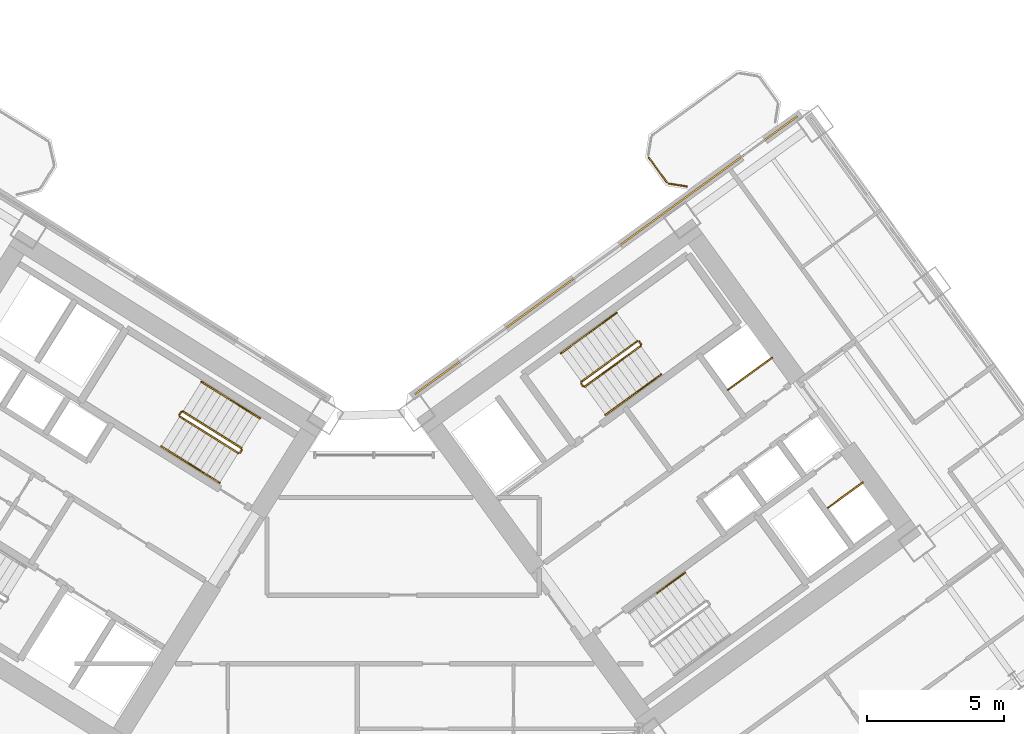
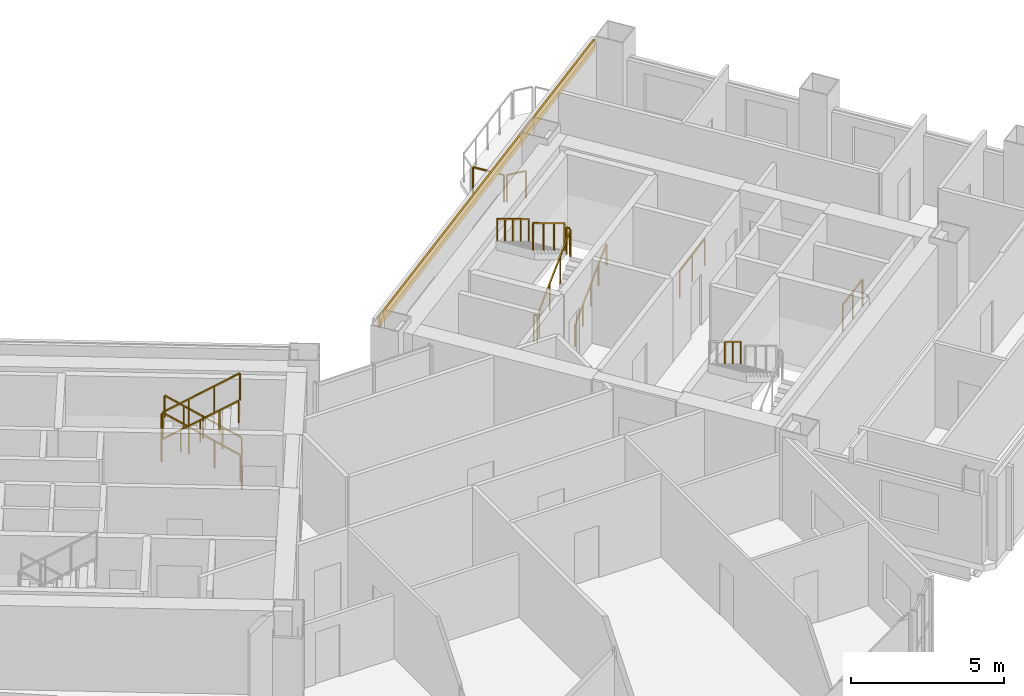
# One storey, part 27 of 28: 21 railings, 1 covering.
"""IFC4 building model written with IfcOpenShell, lengths in metres."""

import ifcopenshell
import ifcopenshell.guid

model = None  # the IFC model being written
_history = None  # IfcOwnerHistory: only IFC2X3 demands one
_inside = {}  # id of a spatial element -> (the spatial element, [elements in it])
_under = {}  # id of a project, library or spatial element -> (it, [spatial elements below it])
_declared = {}  # id of a project -> (the project, [libraries it declares])
_typed = {}  # id of a type object -> (the type object, [elements of that type])
_made_of = {}  # id of a material, layer set ... -> (it, [elements and type objects made of it])


def new_model(schema):
    """Start an empty IFC model of exactly this schema.

    Asked for "IFC4X3", IfcOpenShell would pick the latest addendum, in which some entities
    have other attributes; the version numbers below select the first issue.
    IFC2X3 requires an IfcOwnerHistory on every rooted entity: one is made here for all.
    """
    global model, _history
    if schema == "IFC4X3":
        model = ifcopenshell.file(schema_version=(4, 3, 0, 0))
    else:
        model = ifcopenshell.file(schema=schema)
    _inside.clear()
    _under.clear()
    _declared.clear()
    _typed.clear()
    _made_of.clear()
    _history = None
    if model.schema == "IFC2X3":
        org = make("IfcOrganization", Name="unknown")
        user = make(
            "IfcPersonAndOrganization",
            ThePerson=make("IfcPerson", FamilyName="unknown"),
            TheOrganization=org,
        )
        app = make(
            "IfcApplication",
            ApplicationDeveloper=org,
            Version="unknown",
            ApplicationFullName="unknown",
            ApplicationIdentifier="unknown",
        )
        _history = make(
            "IfcOwnerHistory",
            OwningUser=user,
            OwningApplication=app,
            ChangeAction="ADDED",
            CreationDate=0,
        )
    return model


def make(cls, **values):
    """One entity of the class cls with the attributes given. An attribute that is None is left unset."""
    return model.create_entity(
        cls, **{name: value for name, value in values.items() if value is not None}
    )


def rooted(cls, **values):
    """An entity with a GlobalId (a new one), such as an element, a storey or a relation."""
    return make(cls, GlobalId=ifcopenshell.guid.new(), OwnerHistory=_history, **values)


def si_unit(unit_type, name, prefix=None):
    """IfcSIUnit, for example si_unit("LENGTHUNIT", "METRE", prefix="MILLI")."""
    return make("IfcSIUnit", UnitType=unit_type, Prefix=prefix, Name=name)


def assignment(units):
    """IfcUnitAssignment: the units of a project."""
    return None if units is None else make("IfcUnitAssignment", Units=units)


def point(xyz):
    """IfcCartesianPoint."""
    return None if xyz is None else make("IfcCartesianPoint", Coordinates=xyz)


def direction(xyz):
    """IfcDirection."""
    return None if xyz is None else make("IfcDirection", DirectionRatios=xyz)


def frame(location, z_axis=None, x_axis=None):
    """IfcAxis2Placement3D, a coordinate frame: its origin and axes. An axis left out is left unset."""
    return make(
        "IfcAxis2Placement3D",
        Location=point(location),
        Axis=direction(z_axis),
        RefDirection=direction(x_axis),
    )


def frame_2d(location, x_axis=None):
    """IfcAxis2Placement2D, a coordinate frame in the plane: its origin and x axis."""
    return make(
        "IfcAxis2Placement2D", Location=point(location), RefDirection=direction(x_axis)
    )


def origin():
    """The frame at (0, 0, 0) with its axes left unset."""
    return frame((0.0, 0.0, 0.0))


def origin_2d():
    """The frame at (0, 0) in the plane with its x axis left unset."""
    return frame_2d((0.0, 0.0))


def place(relative_to, where):
    """IfcLocalPlacement: puts the frame where relative to a parent placement (None: the world)."""
    return make(
        "IfcLocalPlacement", PlacementRelTo=relative_to, RelativePlacement=where
    )


def context(
    kind, dimensions, precision=None, world=None, true_north=None, identifier=None
):
    """IfcGeometricRepresentationContext, for example the 3D "Model" context."""
    return make(
        "IfcGeometricRepresentationContext",
        ContextIdentifier=identifier,
        ContextType=kind,
        CoordinateSpaceDimension=dimensions,
        Precision=precision,
        WorldCoordinateSystem=world,
        TrueNorth=true_north,
    )


def subcontext(parent, identifier, kind, view, scale=None):
    """IfcGeometricRepresentationSubContext, for example "Body" below "Model"."""
    return make(
        "IfcGeometricRepresentationSubContext",
        ContextIdentifier=identifier,
        ContextType=kind,
        ParentContext=parent,
        TargetScale=scale,
        TargetView=view,
    )


def project(units=None, contexts=None):
    """IfcProject with its units and contexts."""
    return rooted(
        "IfcProject",
        Name="project",
        RepresentationContexts=contexts,
        UnitsInContext=assignment(units),
    )


def spatial(cls, under=None, at=None, **own):
    """A site, building, storey or space (cls), placed at a placement, below another one or the project."""
    s = rooted(cls, ObjectPlacement=at, **own)
    if under is not None:
        _under.setdefault(under.id(), (under, []))[1].append(s)
    return s


def profile(cls, at=None, kind="AREA", **sizes):
    """A parametric profile (cls). Its sizes go by their IFC names, for example OverallWidth=200.0."""
    return make(cls, ProfileType=kind, Position=at, **sizes)


def rectangle(**sizes):
    """IfcRectangleProfileDef."""
    return profile("IfcRectangleProfileDef", **sizes)


def extrude(swept, where, along, depth):
    """IfcExtrudedAreaSolid: the profile swept, set in the frame where, extruded along a direction by depth."""
    return make(
        "IfcExtrudedAreaSolid",
        SweptArea=swept,
        Position=where,
        ExtrudedDirection=direction(along),
        Depth=depth,
    )


def shape(context_of_items, identifier, shape_type, items):
    """IfcShapeRepresentation: the items that make up one representation, for example the "Body"."""
    return make(
        "IfcShapeRepresentation",
        ContextOfItems=context_of_items,
        RepresentationIdentifier=identifier,
        RepresentationType=shape_type,
        Items=items,
    )


def source(mapping_origin, context_of_items, identifier, shape_type, items):
    """IfcRepresentationMap: a shape defined once, which mapped items show again and again."""
    return make(
        "IfcRepresentationMap",
        MappingOrigin=mapping_origin,
        MappedRepresentation=shape(context_of_items, identifier, shape_type, items),
    )


def transform(
    local_origin,
    x_axis=None,
    y_axis=None,
    z_axis=None,
    scale=None,
    scale2=None,
    scale3=None,
    uniform=True,
):
    """IfcCartesianTransformationOperator3D, or its non-uniform kind. x_axis, y_axis, z_axis: its Axis1, 2, 3."""
    if uniform:
        return make(
            "IfcCartesianTransformationOperator3D",
            Axis1=direction(x_axis),
            Axis2=direction(y_axis),
            LocalOrigin=point(local_origin),
            Scale=scale,
            Axis3=direction(z_axis),
        )
    return make(
        "IfcCartesianTransformationOperator3DnonUniform",
        Axis1=direction(x_axis),
        Axis2=direction(y_axis),
        LocalOrigin=point(local_origin),
        Scale=scale,
        Axis3=direction(z_axis),
        Scale2=scale2,
        Scale3=scale3,
    )


def mapped(mapping_source, mapping_target):
    """IfcMappedItem: shows the shape of a source again, moved by a transform."""
    return make(
        "IfcMappedItem", MappingSource=mapping_source, MappingTarget=mapping_target
    )


def material(Name=None, Category=None):
    """IfcMaterial."""
    return make("IfcMaterial", Name=Name, Category=Category)


def layer(
    of_material, thickness, ventilated=None, Name=None, Category=None, Priority=None
):
    """IfcMaterialLayer: one layer of a wall or slab, of a material (None: an air gap)."""
    return make(
        "IfcMaterialLayer",
        Material=of_material,
        LayerThickness=thickness,
        IsVentilated=ventilated,
        Name=Name,
        Category=Category,
        Priority=Priority,
    )


def layer_set(layers, Name=None):
    """IfcMaterialLayerSet."""
    return make("IfcMaterialLayerSet", MaterialLayers=layers, LayerSetName=Name)


def made_of(thing, what):
    """Note that an element or type object is made of a material, layer set ...; save() writes the relation."""
    if what is not None:
        _made_of.setdefault(what.id(), (what, []))[1].append(thing)
    return thing


def type_object(cls, material=None, **own):
    """A type object (cls), such as IfcWallType, which elements share."""
    return made_of(rooted(cls, **own), material)


def element(
    cls,
    number,
    at=None,
    inside=None,
    cuts=None,
    type_object=None,
    material=None,
    context=None,
    identifier="Body",
    shape_type=None,
    held_by="IfcProductDefinitionShape",
    body=None,
    shapes=None,
    **own,
):
    """One element of the class cls, such as IfcWall. Its Tag is "e" and its number.

    at: its placement. inside: the storey or other place that contains it. cuts: it is an
    opening in that element (IfcRelVoidsElement). A single representation is given by context,
    identifier, shape_type and body (its items); several are given by shapes. held_by: the class
    of the entity that holds the representations. save() writes the other relations.
    """
    e = rooted(cls, Tag="e%d" % number, ObjectPlacement=at, **own)
    if body is not None:
        shapes = [shape(context, identifier, shape_type, body)]
    if shapes is not None:
        e.Representation = make(held_by, Representations=shapes)
    if inside is not None:
        _inside.setdefault(inside.id(), (inside, []))[1].append(e)
    if cuts is not None:
        rooted(
            "IfcRelVoidsElement", RelatingBuildingElement=cuts, RelatedOpeningElement=e
        )
    if type_object is not None:
        _typed.setdefault(type_object.id(), (type_object, []))[1].append(e)
    return made_of(e, material)


def aggregate(whole, parts):
    """IfcRelAggregates: a whole, such as a stair, and the parts it consists of."""
    return rooted("IfcRelAggregates", RelatingObject=whole, RelatedObjects=parts)


def save(model, path):
    """Write the relations noted so far, then the file.

    IfcRelAggregates (storeys below a building ...), IfcRelContainedInSpatialStructure (elements
    in a storey), IfcRelDefinesByType, IfcRelAssociatesMaterial and IfcRelDeclares: one each for
    every whole, place, type object, material and project.
    """
    for whole, parts in _under.values():
        aggregate(whole, parts)
    for where, things in _inside.values():
        rooted(
            "IfcRelContainedInSpatialStructure",
            RelatedElements=things,
            RelatingStructure=where,
        )
    for kind, things in _typed.values():
        rooted("IfcRelDefinesByType", RelatedObjects=things, RelatingType=kind)
    for what, things in _made_of.values():
        rooted("IfcRelAssociatesMaterial", RelatedObjects=things, RelatingMaterial=what)
    for by, libraries in _declared.values():
        rooted("IfcRelDeclares", RelatingContext=by, RelatedDefinitions=libraries)
    model.write(path)


model = new_model("IFC4")

# Units and contexts
model_context = context("Model", 3, precision=1e-05, world=origin(), true_north=direction((0.0, 1.0)))
body_context = subcontext(model_context, "Body", "Model", "MODEL_VIEW")
ifc_project = project(units=[si_unit("LENGTHUNIT", "METRE"), si_unit("AREAUNIT", "SQUARE_METRE"), si_unit("VOLUMEUNIT", "CUBIC_METRE"), si_unit("PLANEANGLEUNIT", "RADIAN"), si_unit("MASSUNIT", "GRAM", prefix="KILO")], contexts=[model_context])

# Site, building, storey
site_placement = place(None, origin())
site = spatial("IfcSite", under=ifc_project, at=site_placement, CompositionType="ELEMENT")
building_placement = place(site_placement, origin())
building = spatial("IfcBuilding", under=site, at=building_placement, Name="Tlacorven Tower", CompositionType="ELEMENT")
storey_placement = place(building_placement, frame((0.0, 0.0, 49.199951171875)))
storey = spatial("IfcBuildingStorey", under=building, at=storey_placement, Name="L12", CompositionType="ELEMENT", Elevation=49.199951171875)

# Railings
ifc_material_1 = material(Name="Aluminium and painted steel balustrade", Category="steel")
railing_type_1 = type_object("IfcRailingType", Name="RL-GRD-1100", PredefinedType="GUARDRAIL", material=ifc_material_1)
shared_shape_1 = source(origin(), body_context, "Body", "SweptSolid", [
    extrude(rectangle(XDim=0.048095703125, YDim=0.048095703125, at=origin_2d()), frame((0.0, 0.0, 1.076171875), z_axis=(0.808947177504, 0.587881334972, 0.0), x_axis=(-0.587881334972, 0.808947177504, 0.0)), (0.0, 0.0, 1.0), 2.0),
    extrude(rectangle(XDim=0.0419921875, YDim=0.0419921875, at=origin_2d()), origin(), (0.0, 0.0, 1.0), 1.052001953125),
    extrude(rectangle(XDim=0.0419921875, YDim=0.0419921875, at=origin_2d()), frame((0.80908203125, 0.587890625, 0.0)), (0.0, 0.0, 1.0), 1.052001953125),
    extrude(rectangle(XDim=0.0419921875, YDim=0.0419921875, at=origin_2d()), frame((1.617919921875, 1.17578125, 0.0)), (0.0, 0.0, 1.0), 1.052001953125),
])
railing_1_placement = place(storey_placement, frame((55.506103515625, 25.438232421875, 0.0)))
element("IfcRailing", 1, at=railing_1_placement, inside=storey, type_object=railing_type_1, Name="L12 Electrical Riser E Shaft Guard 1", PredefinedType="GUARDRAIL", context=body_context, shape_type="MappedRepresentation", body=[
    mapped(shared_shape_1, transform((0.0, 0.0, 0.0), scale=1.0)),
])
shared_shape_2 = source(origin(), body_context, "Body", "SweptSolid", [
    extrude(rectangle(XDim=0.048095703125, YDim=0.048095703125, at=origin_2d()), frame((0.0, 0.0, 1.076171875), z_axis=(0.809029975545, 0.58776738483, 0.0), x_axis=(-0.58776738483, 0.809029975545, 0.0)), (0.0, 0.0, 1.0), 1.580078125),
    extrude(rectangle(XDim=0.0419921875, YDim=0.0419921875, at=origin_2d()), origin(), (0.0, 0.0, 1.0), 1.052001953125),
    extrude(rectangle(XDim=0.0419921875, YDim=0.0419921875, at=origin_2d()), frame((0.63916015625, 0.46435546875, 0.0)), (0.0, 0.0, 1.0), 1.052001953125),
    extrude(rectangle(XDim=0.0419921875, YDim=0.0419921875, at=origin_2d()), frame((1.2783203125, 0.9287109375, 0.0)), (0.0, 0.0, 1.0), 1.052001953125),
])
railing_2_placement = place(storey_placement, frame((59.160888671875, 21.122314453125, 0.0)))
element("IfcRailing", 2, at=railing_2_placement, inside=storey, type_object=railing_type_1, Name="L12 Smoke Riser E Shaft Guard 1", PredefinedType="GUARDRAIL", context=body_context, shape_type="MappedRepresentation", body=[
    mapped(shared_shape_2, transform((0.0, 0.0, 0.0), scale=1.0)),
])
railing_type_2 = type_object("IfcRailingType", Name="RL-BAL-1100", PredefinedType="BALUSTRADE", material=ifc_material_1)
shared_shape_3 = source(origin(), body_context, "Body", "SweptSolid", [
    extrude(rectangle(XDim=0.048095703125, YDim=0.048095703125, at=origin_2d()), frame((0.0, 0.0, 1.076171875), z_axis=(-0.987718317463, 0.156245081039, 0.0), x_axis=(-0.156245081039, -0.987718317463, 0.0)), (0.0, 0.0, 1.0), 0.66552734375),
    extrude(rectangle(XDim=0.0419921875, YDim=0.0419921875, at=origin_2d()), origin(), (0.0, 0.0, 1.0), 1.052001953125),
    extrude(rectangle(XDim=0.0419921875, YDim=0.0419921875, at=origin_2d()), frame((-0.657470703125, 0.10400390625, 0.0)), (0.0, 0.0, 1.0), 1.052001953125),
])
railing_3_placement = place(storey_placement, frame((54.00341796875, 32.8759765625, 0.0)))
element("IfcRailing", 3, at=railing_3_placement, inside=storey, type_object=railing_type_2, Name="BAL-L12-E-IN Guard Railing 1", PredefinedType="BALUSTRADE", context=body_context, shape_type="MappedRepresentation", body=[
    mapped(shared_shape_3, transform((0.0, 0.0, 0.0), scale=1.0)),
])
shared_shape_4 = source(origin(), body_context, "Body", "SweptSolid", [
    extrude(rectangle(XDim=0.048095703125, YDim=0.048095703125, at=origin_2d()), frame((0.0, 0.0, 1.076171875), z_axis=(-0.587740817519, 0.809049276263, 0.0), x_axis=(-0.809049276263, -0.587740817519, 0.0)), (0.0, 0.0, 1.0), 1.112060546875),
    extrude(rectangle(XDim=0.0419921875, YDim=0.0419921875, at=origin_2d()), origin(), (0.0, 0.0, 1.0), 1.052001953125),
    extrude(rectangle(XDim=0.0419921875, YDim=0.0419921875, at=origin_2d()), frame((-0.653564453125, 0.899658203125, 0.0)), (0.0, 0.0, 1.0), 1.052001953125),
])
railing_4_placement = place(storey_placement, frame((53.26708984375, 33.0283203125, 0.0)))
element("IfcRailing", 4, at=railing_4_placement, inside=storey, type_object=railing_type_2, Name="BAL-L12-E-IN Guard Railing 2", PredefinedType="BALUSTRADE", context=body_context, shape_type="MappedRepresentation", body=[
    mapped(shared_shape_4, transform((0.0, 0.0, 0.0), scale=1.0)),
])

# Covering
ifc_material_2 = material(Name="Precast concrete C45/55", Category="concrete")
ifc_layer = layer(ifc_material_2, 0.06005859375)
ifc_layer_set = layer_set([ifc_layer], Name="Precast concrete C45/55")
covering_type = type_object("IfcCoveringType", Name="CV-CLD-TERC", PredefinedType="CLADDING", material=ifc_layer_set)
shared_shape_5 = source(origin(), body_context, "Body", "SweptSolid", [
    extrude(rectangle(XDim=17.287353515625, YDim=0.06005859375, at=origin_2d()), origin(), (0.0, 0.0, 1.0), 0.419921875),
])
covering_placement = place(storey_placement, frame((51.05224609375, 30.360595703125, 2.93017578125), z_axis=(0.0, 0.0, 1.0), x_axis=(0.809017097486, 0.587785110372, 0.0)))
element("IfcCovering", 5, at=covering_placement, inside=storey, type_object=covering_type, Name="L12 Masonry-Frame Spandrel Cladding 4", PredefinedType="CLADDING", context=body_context, shape_type="MappedRepresentation", body=[
    mapped(shared_shape_5, transform((0.0, 0.0, 0.0), scale=1.0)),
])

# Railings
shared_shape_6 = source(origin(), body_context, "Body", "SweptSolid", [
    extrude(rectangle(XDim=0.048095703125, YDim=0.048095703125, at=origin_2d()), frame((0.0, 0.0, 1.076171875), z_axis=(-0.713319727316, 0.445773895627, 0.540796265334), x_axis=(-0.529955395941, -0.84802551749, 0.0)), (0.0, 0.0, 1.0), 2.995849609375),
    extrude(rectangle(XDim=0.0419921875, YDim=0.0419921875, at=origin_2d()), origin(), (0.0, 0.0, 1.0), 1.052001953125),
    extrude(rectangle(XDim=0.0419921875, YDim=0.0419921875, at=origin_2d()), frame((-0.71240234375, 0.445068359375, 0.5400390625)), (0.0, 0.0, 1.0), 1.052001953125),
    extrude(rectangle(XDim=0.0419921875, YDim=0.0419921875, at=origin_2d()), frame((-1.424560546875, 0.890380859375, 1.080078125)), (0.0, 0.0, 1.0), 1.052001953125),
    extrude(rectangle(XDim=0.0419921875, YDim=0.0419921875, at=origin_2d()), frame((-2.136962890625, 1.33544921875, 1.6201171875)), (0.0, 0.0, 1.0), 1.052001953125),
])
railing_5_placement = place(storey_placement, frame((37.712158203125, 23.3095703125, 0.179931640625)))
element("IfcRailing", 6, at=railing_5_placement, inside=storey, type_object=railing_type_1, Name="L12 ST-W2 stair guard 1", PredefinedType="GUARDRAIL", context=body_context, shape_type="MappedRepresentation", body=[
    mapped(shared_shape_6, transform((0.0, 0.0, 0.0), scale=1.0)),
])
shared_shape_7 = source(origin(), body_context, "Body", "SweptSolid", [
    extrude(rectangle(XDim=0.048095703125, YDim=0.048095703125, at=origin_2d()), frame((0.0, 0.0, 1.076171875), z_axis=(-0.530546985787, -0.847655529016, 0.0), x_axis=(0.847655529016, -0.530546985787, 0.0)), (0.0, 0.0, 1.0), 0.1201171875),
    extrude(rectangle(XDim=0.0419921875, YDim=0.0419921875, at=origin_2d()), origin(), (0.0, 0.0, 1.0), 1.052001953125),
    extrude(rectangle(XDim=0.0419921875, YDim=0.0419921875, at=origin_2d()), frame((-0.063720703125, -0.101806640625, 0.0)), (0.0, 0.0, 1.0), 1.052001953125),
])
railing_6_placement = place(storey_placement, frame((37.728271484375, 23.24072265625, 0.0)))
element("IfcRailing", 7, at=railing_6_placement, inside=storey, type_object=railing_type_1, Name="L12 ST-W2 stair guard 4", PredefinedType="GUARDRAIL", context=body_context, shape_type="MappedRepresentation", body=[
    mapped(shared_shape_7, transform((0.0, 0.0, 0.0), scale=1.0)),
])
railing_type_3 = type_object("IfcRailingType", Name="RL-HND-0900", PredefinedType="HANDRAIL", material=ifc_material_1)
shared_shape_8 = source(origin(), body_context, "Body", "SweptSolid", [
    extrude(rectangle(XDim=0.048095703125, YDim=0.048095703125, at=origin_2d()), frame((0.0, 0.0, 0.8759765625), z_axis=(-0.713359751793, 0.4457479829, 0.540764828981), x_axis=(-0.529911857636, -0.848052724267, 0.0)), (0.0, 0.0, 1.0), 1.498046875),
    extrude(rectangle(XDim=0.0419921875, YDim=0.0419921875, at=origin_2d()), origin(), (0.0, 0.0, 1.0), 0.851806640625),
    extrude(rectangle(XDim=0.0419921875, YDim=0.0419921875, at=origin_2d()), frame((-0.5341796875, 0.333984375, 0.405029296875)), (0.0, 0.0, 1.0), 0.851806640625),
    extrude(rectangle(XDim=0.0419921875, YDim=0.0419921875, at=origin_2d()), frame((-1.068603515625, 0.667724609375, 0.81005859375)), (0.0, 0.0, 1.0), 0.851806640625),
])
for number, where, name in (
    (8, (38.390625, 24.39501953125, 0.179931640625), "L12 ST-W2 stair handrail 1"),
    (9, (37.322021484375, 25.062744140625, 0.989990234375), "L12 ST-W2 stair handrail 2"),
):
    element("IfcRailing", number, at=place(storey_placement, frame(where)), inside=storey, type_object=railing_type_3, Name=name, PredefinedType="HANDRAIL", context=body_context, shape_type="MappedRepresentation", body=[
        mapped(shared_shape_8, transform((0.0, 0.0, 0.0), scale=1.0)),
    ])
shared_shape_9 = source(origin(), body_context, "Body", "SweptSolid", [
    extrude(rectangle(XDim=0.048095703125, YDim=0.048095703125, at=origin_2d()), frame((0.0, 0.0, 0.8759765625), z_axis=(0.713359751793, -0.4457479829, 0.540764828981), x_axis=(0.529911857636, 0.848052724267, 0.0)), (0.0, 0.0, 1.0), 1.498046875),
    extrude(rectangle(XDim=0.0419921875, YDim=0.0419921875, at=origin_2d()), origin(), (0.0, 0.0, 1.0), 0.851806640625),
    extrude(rectangle(XDim=0.0419921875, YDim=0.0419921875, at=origin_2d()), frame((0.5341796875, -0.333984375, 0.405029296875)), (0.0, 0.0, 1.0), 0.851806640625),
    extrude(rectangle(XDim=0.0419921875, YDim=0.0419921875, at=origin_2d()), frame((1.068603515625, -0.667724609375, 0.81005859375)), (0.0, 0.0, 1.0), 0.851806640625),
])
for number, where, name in (
    (10, (34.7802734375, 23.372802734375, 1.97998046875), "L12 ST-W2 stair handrail 3"),
    (11, (35.848876953125, 22.705078125, 2.7900390625), "L12 ST-W2 stair handrail 4"),
):
    element("IfcRailing", number, at=place(storey_placement, frame(where)), inside=storey, type_object=railing_type_3, Name=name, PredefinedType="HANDRAIL", context=body_context, shape_type="MappedRepresentation", body=[
        mapped(shared_shape_9, transform((0.0, 0.0, 0.0), scale=1.0)),
    ])
shared_shape_10 = source(origin(), body_context, "Body", "SweptSolid", [
    extrude(rectangle(XDim=0.048095703125, YDim=0.048095703125, at=origin_2d()), frame((0.0, 0.0, 1.076171875), z_axis=(-0.531462422766, -0.847081869236, 0.0), x_axis=(0.847081869236, -0.531462422766, 0.0)), (0.0, 0.0, 1.0), 0.119873046875),
    extrude(rectangle(XDim=0.0419921875, YDim=0.0419921875, at=origin_2d()), origin(), (0.0, 0.0, 1.0), 1.052001953125),
    extrude(rectangle(XDim=0.0419921875, YDim=0.0419921875, at=origin_2d()), frame((-0.063720703125, -0.1015625, 0.0)), (0.0, 0.0, 1.0), 1.052001953125),
])
railing_7_placement = place(storey_placement, frame((35.50634765625, 24.62890625, 1.800048828125)))
element("IfcRailing", 12, at=railing_7_placement, inside=storey, type_object=railing_type_1, Name="L12 ST-W2 stair guard 2", PredefinedType="GUARDRAIL", context=body_context, shape_type="MappedRepresentation", body=[
    mapped(shared_shape_10, transform((0.0, 0.0, 0.0), scale=1.0)),
])
shared_shape_11 = source(origin(), body_context, "Body", "SweptSolid", [
    extrude(rectangle(XDim=0.048095703125, YDim=0.048095703125, at=origin_2d()), frame((0.0, 0.0, 1.076171875), z_axis=(0.713385662783, -0.445682681033, 0.540784470897), x_axis=(0.52984217967, 0.848096259066, 0.0)), (0.0, 0.0, 1.0), 2.995849609375),
    extrude(rectangle(XDim=0.0419921875, YDim=0.0419921875, at=origin_2d()), origin(), (0.0, 0.0, 1.0), 1.052001953125),
    extrude(rectangle(XDim=0.0419921875, YDim=0.0419921875, at=origin_2d()), frame((0.71240234375, -0.445068359375, 0.5400390625)), (0.0, 0.0, 1.0), 1.052001953125),
    extrude(rectangle(XDim=0.0419921875, YDim=0.0419921875, at=origin_2d()), frame((1.4248046875, -0.89013671875, 1.080078125)), (0.0, 0.0, 1.0), 1.052001953125),
    extrude(rectangle(XDim=0.0419921875, YDim=0.0419921875, at=origin_2d()), frame((2.13720703125, -1.335205078125, 1.6201171875)), (0.0, 0.0, 1.0), 1.052001953125),
])
railing_8_placement = place(storey_placement, frame((35.45849609375, 24.458251953125, 1.97998046875)))
element("IfcRailing", 13, at=railing_8_placement, inside=storey, type_object=railing_type_1, Name="L12 ST-W2 stair guard 3", PredefinedType="GUARDRAIL", context=body_context, shape_type="MappedRepresentation", body=[
    mapped(shared_shape_11, transform((0.0, 0.0, 0.0), scale=1.0)),
])
shared_shape_12 = source(origin(), body_context, "Body", "SweptSolid", [
    extrude(rectangle(XDim=0.048095703125, YDim=0.048095703125, at=origin_2d()), frame((0.0, 0.0, 1.076171875), z_axis=(-0.587201422542, 0.809440849824, 0.0), x_axis=(-0.809440849824, -0.587201422542, 0.0)), (0.0, 0.0, 1.0), 0.11962890625),
    extrude(rectangle(XDim=0.0419921875, YDim=0.0419921875, at=origin_2d()), origin(), (0.0, 0.0, 1.0), 1.052001953125),
    extrude(rectangle(XDim=0.0419921875, YDim=0.0419921875, at=origin_2d()), frame((-0.0703125, 0.096923828125, 0.0)), (0.0, 0.0, 1.0), 1.052001953125),
])
for number, where, name in (
    (14, (52.326904296875, 27.10888671875, 1.800048828125), "L12 ST-E1 stair guard 2"),
    (15, (50.207275390625, 25.56884765625, 0.0), "L12 ST-E1 stair guard 4"),
):
    element("IfcRailing", number, at=place(storey_placement, frame(where)), inside=storey, type_object=railing_type_1, Name=name, PredefinedType="GUARDRAIL", context=body_context, shape_type="MappedRepresentation", body=[
        mapped(shared_shape_12, transform((0.0, 0.0, 0.0), scale=1.0)),
    ])
shared_shape_13 = source(origin(), body_context, "Body", "SweptSolid", [
    extrude(rectangle(XDim=0.048095703125, YDim=0.048095703125, at=origin_2d()), frame((0.0, 0.0, 1.076171875), z_axis=(0.680488636597, 0.494434078831, 0.540805100894), x_axis=(-0.5878087079, 0.808999952359, 0.0)), (0.0, 0.0, 1.0), 2.995849609375),
    extrude(rectangle(XDim=0.0419921875, YDim=0.0419921875, at=origin_2d()), origin(), (0.0, 0.0, 1.0), 1.052001953125),
    extrude(rectangle(XDim=0.0419921875, YDim=0.0419921875, at=origin_2d()), frame((0.679443359375, 0.49365234375, 0.5400390625)), (0.0, 0.0, 1.0), 1.052001953125),
    extrude(rectangle(XDim=0.0419921875, YDim=0.0419921875, at=origin_2d()), frame((1.359130859375, 0.987548828125, 1.080078125)), (0.0, 0.0, 1.0), 1.052001953125),
    extrude(rectangle(XDim=0.0419921875, YDim=0.0419921875, at=origin_2d()), frame((2.03857421875, 1.481201171875, 1.6201171875)), (0.0, 0.0, 1.0), 1.052001953125),
])
railing_9_placement = place(storey_placement, frame((50.27734375, 25.557861328125, 0.179931640625)))
element("IfcRailing", 16, at=railing_9_placement, inside=storey, type_object=railing_type_1, Name="L12 ST-E1 stair guard 1", PredefinedType="GUARDRAIL", context=body_context, shape_type="MappedRepresentation", body=[
    mapped(shared_shape_13, transform((0.0, 0.0, 0.0), scale=1.0)),
])
shared_shape_14 = source(origin(), body_context, "Body", "SweptSolid", [
    extrude(rectangle(XDim=0.048095703125, YDim=0.048095703125, at=origin_2d()), frame((0.0, 0.0, 1.076171875), z_axis=(-0.680488636597, -0.494434078831, 0.540805100894), x_axis=(0.5878087079, -0.808999952359, 0.0)), (0.0, 0.0, 1.0), 2.995849609375),
    extrude(rectangle(XDim=0.0419921875, YDim=0.0419921875, at=origin_2d()), origin(), (0.0, 0.0, 1.0), 1.052001953125),
    extrude(rectangle(XDim=0.0419921875, YDim=0.0419921875, at=origin_2d()), frame((-0.679443359375, -0.49365234375, 0.5400390625)), (0.0, 0.0, 1.0), 1.052001953125),
    extrude(rectangle(XDim=0.0419921875, YDim=0.0419921875, at=origin_2d()), frame((-1.359130859375, -0.987548828125, 1.080078125)), (0.0, 0.0, 1.0), 1.052001953125),
    extrude(rectangle(XDim=0.0419921875, YDim=0.0419921875, at=origin_2d()), frame((-2.03857421875, -1.481201171875, 1.6201171875)), (0.0, 0.0, 1.0), 1.052001953125),
])
railing_10_placement = place(storey_placement, frame((52.1865234375, 27.217041015625, 1.97998046875)))
element("IfcRailing", 17, at=railing_10_placement, inside=storey, type_object=railing_type_1, Name="L12 ST-E1 stair guard 3", PredefinedType="GUARDRAIL", context=body_context, shape_type="MappedRepresentation", body=[
    mapped(shared_shape_14, transform((0.0, 0.0, 0.0), scale=1.0)),
])
shared_shape_15 = source(origin(), body_context, "Body", "SweptSolid", [
    extrude(rectangle(XDim=0.048095703125, YDim=0.048095703125, at=origin_2d()), frame((0.0, 0.0, 0.8759765625), z_axis=(0.680516055757, 0.494372502302, 0.540826891737), x_axis=(-0.587745292299, 0.809046025502, 0.0)), (0.0, 0.0, 1.0), 1.497802734375),
    extrude(rectangle(XDim=0.0419921875, YDim=0.0419921875, at=origin_2d()), origin(), (0.0, 0.0, 1.0), 0.851806640625),
    extrude(rectangle(XDim=0.0419921875, YDim=0.0419921875, at=origin_2d()), frame((0.509765625, 0.3701171875, 0.405029296875)), (0.0, 0.0, 1.0), 0.851806640625),
    extrude(rectangle(XDim=0.0419921875, YDim=0.0419921875, at=origin_2d()), frame((1.019287109375, 0.740478515625, 0.81005859375)), (0.0, 0.0, 1.0), 0.851806640625),
])
railing_11_placement = place(storey_placement, frame((51.029541015625, 24.522216796875, 0.179931640625)))
element("IfcRailing", 18, at=railing_11_placement, inside=storey, type_object=railing_type_3, Name="L12 ST-E1 stair handrail 1", PredefinedType="HANDRAIL", context=body_context, shape_type="MappedRepresentation", body=[
    mapped(shared_shape_15, transform((0.0, 0.0, 0.0), scale=1.0)),
])
shared_shape_16 = source(origin(), body_context, "Body", "SweptSolid", [
    extrude(rectangle(XDim=0.048095703125, YDim=0.048095703125, at=origin_2d()), frame((0.0, 0.0, 0.8759765625), z_axis=(0.680548719995, 0.49444080854, 0.540723336433), x_axis=(-0.587779977844, 0.80902082646, 0.0)), (0.0, 0.0, 1.0), 1.498046875),
    extrude(rectangle(XDim=0.0419921875, YDim=0.0419921875, at=origin_2d()), origin(), (0.0, 0.0, 1.0), 0.851806640625),
    extrude(rectangle(XDim=0.0419921875, YDim=0.0419921875, at=origin_2d()), frame((0.509765625, 0.370361328125, 0.405029296875)), (0.0, 0.0, 1.0), 0.851806640625),
    extrude(rectangle(XDim=0.0419921875, YDim=0.0419921875, at=origin_2d()), frame((1.01953125, 0.74072265625, 0.81005859375)), (0.0, 0.0, 1.0), 0.851806640625),
])
railing_12_placement = place(storey_placement, frame((52.048828125, 25.2626953125, 0.989990234375)))
element("IfcRailing", 19, at=railing_12_placement, inside=storey, type_object=railing_type_3, Name="L12 ST-E1 stair handrail 2", PredefinedType="HANDRAIL", context=body_context, shape_type="MappedRepresentation", body=[
    mapped(shared_shape_16, transform((0.0, 0.0, 0.0), scale=1.0)),
])
shared_shape_17 = source(origin(), body_context, "Body", "SweptSolid", [
    extrude(rectangle(XDim=0.048095703125, YDim=0.048095703125, at=origin_2d()), frame((0.0, 0.0, 0.8759765625), z_axis=(-0.680603554404, -0.494317667746, 0.540766904577), x_axis=(0.587653156371, -0.809112951205, 0.0)), (0.0, 0.0, 1.0), 1.498046875),
    extrude(rectangle(XDim=0.0419921875, YDim=0.0419921875, at=origin_2d()), origin(), (0.0, 0.0, 1.0), 0.851806640625),
    extrude(rectangle(XDim=0.0419921875, YDim=0.0419921875, at=origin_2d()), frame((-0.509765625, -0.3701171875, 0.405029296875)), (0.0, 0.0, 1.0), 0.851806640625),
    extrude(rectangle(XDim=0.0419921875, YDim=0.0419921875, at=origin_2d()), frame((-1.01953125, -0.740478515625, 0.81005859375)), (0.0, 0.0, 1.0), 0.851806640625),
])
railing_13_placement = place(storey_placement, frame((51.434326171875, 28.25244140625, 1.97998046875)))
element("IfcRailing", 20, at=railing_13_placement, inside=storey, type_object=railing_type_3, Name="L12 ST-E1 stair handrail 3", PredefinedType="HANDRAIL", context=body_context, shape_type="MappedRepresentation", body=[
    mapped(shared_shape_17, transform((0.0, 0.0, 0.0), scale=1.0)),
])
shared_shape_18 = source(origin(), body_context, "Body", "SweptSolid", [
    extrude(rectangle(XDim=0.048095703125, YDim=0.048095703125, at=origin_2d()), frame((0.0, 0.0, 0.8759765625), z_axis=(-0.680461216233, -0.494495647917, 0.540783309093), x_axis=(0.587872112667, -0.808953879494, 0.0)), (0.0, 0.0, 1.0), 1.498046875),
    extrude(rectangle(XDim=0.0419921875, YDim=0.0419921875, at=origin_2d()), origin(), (0.0, 0.0, 1.0), 0.851806640625),
    extrude(rectangle(XDim=0.0419921875, YDim=0.0419921875, at=origin_2d()), frame((-0.509765625, -0.370361328125, 0.405029296875)), (0.0, 0.0, 1.0), 0.851806640625),
    extrude(rectangle(XDim=0.0419921875, YDim=0.0419921875, at=origin_2d()), frame((-1.019287109375, -0.74072265625, 0.81005859375)), (0.0, 0.0, 1.0), 0.851806640625),
])
railing_14_placement = place(storey_placement, frame((50.414794921875, 27.511962890625, 2.7900390625)))
element("IfcRailing", 21, at=railing_14_placement, inside=storey, type_object=railing_type_3, Name="L12 ST-E1 stair handrail 4", PredefinedType="HANDRAIL", context=body_context, shape_type="MappedRepresentation", body=[
    mapped(shared_shape_18, transform((0.0, 0.0, 0.0), scale=1.0)),
])
shared_shape_19 = source(origin(), body_context, "Body", "SweptSolid", [
    extrude(rectangle(XDim=0.048095703125, YDim=0.048095703125, at=origin_2d()), frame((0.0, 0.0, 0.8759765625), z_axis=(-0.680516055757, -0.494372502302, 0.540826891737), x_axis=(0.587745292299, -0.809046025502, 0.0)), (0.0, 0.0, 1.0), 1.497802734375),
    extrude(rectangle(XDim=0.0419921875, YDim=0.0419921875, at=origin_2d()), origin(), (0.0, 0.0, 1.0), 0.851806640625),
    extrude(rectangle(XDim=0.0419921875, YDim=0.0419921875, at=origin_2d()), frame((-0.509765625, -0.3701171875, 0.405029296875)), (0.0, 0.0, 1.0), 0.851806640625),
    extrude(rectangle(XDim=0.0419921875, YDim=0.0419921875, at=origin_2d()), frame((-1.019287109375, -0.740478515625, 0.81005859375)), (0.0, 0.0, 1.0), 0.851806640625),
])
railing_15_placement = place(storey_placement, frame((53.938232421875, 18.749267578125, 1.97998046875)))
element("IfcRailing", 22, at=railing_15_placement, inside=storey, type_object=railing_type_3, Name="L12 ST-E2 stair handrail 3", PredefinedType="HANDRAIL", context=body_context, shape_type="MappedRepresentation", body=[
    mapped(shared_shape_19, transform((0.0, 0.0, 0.0), scale=1.0)),
])

save(model, "model.ifc")
